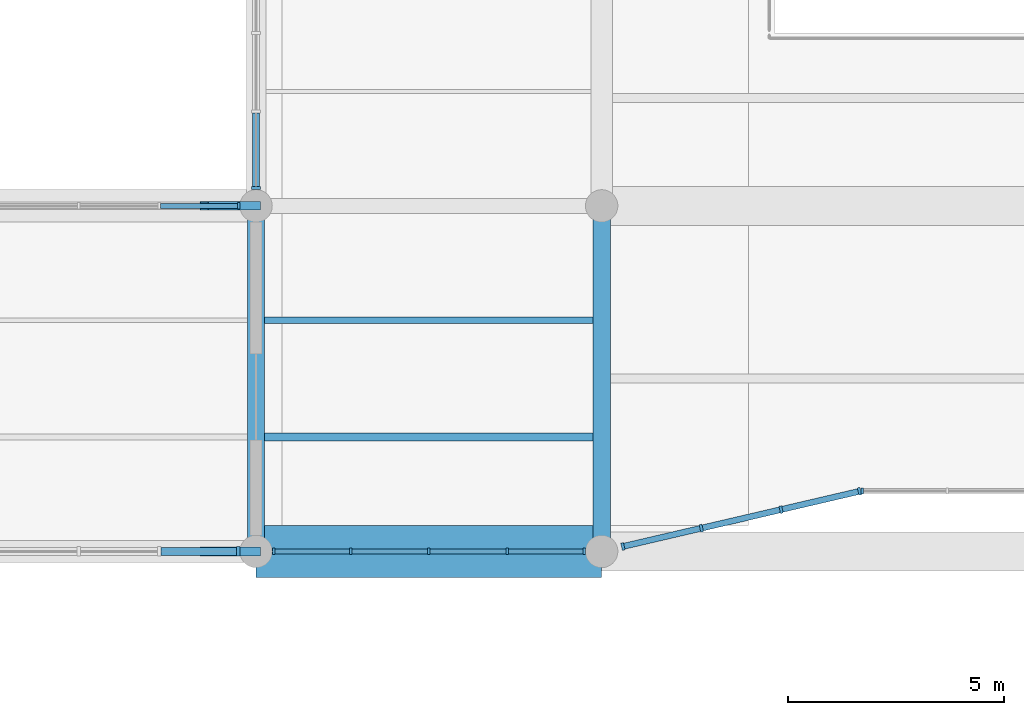
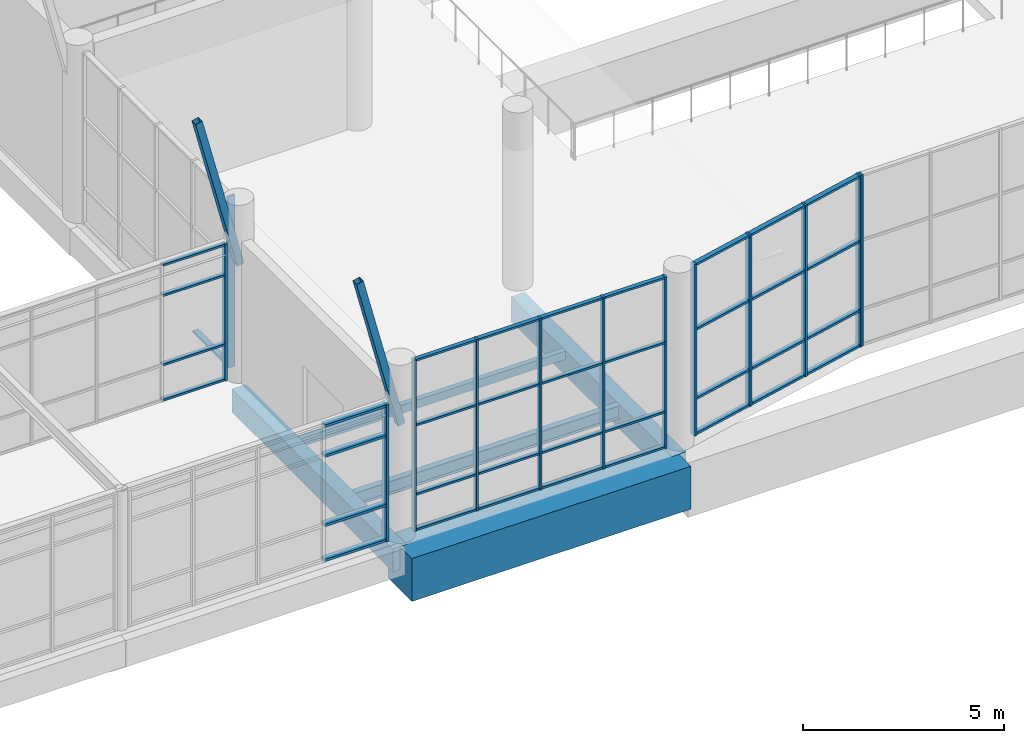
# One storey, part 23 of 122: 52 members, 5 beams, 6 elements without a shape of their own.
"""IFC4 building model written with IfcOpenShell, lengths in metres."""

from ifc_helpers import new_model, si_unit, direction, frame, origin, origin_2d, place, context, subcontext, project, spatial, rectangle, hollow_rectangle, i_section, extrude, material, material_profile, profile_set, type_object, element, aggregate, save


model = new_model("IFC4")

# Units and contexts
model_context = context("Model", 3, precision=1e-05, world=origin(), true_north=direction((0.0, 1.0)))
body_context = subcontext(model_context, "Body", "Model", "MODEL_VIEW")
ifc_project = project(units=[si_unit("LENGTHUNIT", "METRE"), si_unit("AREAUNIT", "SQUARE_METRE"), si_unit("VOLUMEUNIT", "CUBIC_METRE"), si_unit("PLANEANGLEUNIT", "RADIAN"), si_unit("MASSUNIT", "GRAM", prefix="KILO")], contexts=[model_context])

# Site, building, storey
site_placement = place(None, origin())
site = spatial("IfcSite", under=ifc_project, at=site_placement, CompositionType="ELEMENT")
building_placement = place(site_placement, origin())
building = spatial("IfcBuilding", under=site, at=building_placement, Name="Tenunan Teduh Sports Hall", CompositionType="ELEMENT")
storey_placement = place(building_placement, frame((0.0, 0.0, 5.39990234375)))
storey = spatial("IfcBuildingStorey", under=building, at=storey_placement, Name="L01", CompositionType="ELEMENT", Elevation=5.39990234375)

# Beams
ifc_material_1 = material(Name="Concrete C40/50", Category="concrete")
ifc_material_profile_1 = material_profile(ifc_material_1, rectangle(XDim=0.39990234375, YDim=0.699951171875, at=origin_2d()), Name="RCB 400x700")
ifc_profile_set_1 = profile_set([ifc_material_profile_1], Name="Concrete C40/50")
beam_type_1 = type_object("IfcBeamType", Name="BM-RC-400x700", PredefinedType="BEAM", material=ifc_profile_set_1)
beam_1_placement = place(storey_placement, frame((70.0, 38.0, -0.7099609375), z_axis=(0.0, 1.0, 0.0), x_axis=(-1.0, 0.0, 0.0)))
element("IfcBeam", 1, at=beam_1_placement, inside=storey, type_object=beam_type_1, Name="BM-B-08-L01-1231", PredefinedType="BEAM", context=body_context, shape_type="SweptSolid", body=[
    extrude(rectangle(XDim=0.39990234375, YDim=0.699951171875, at=origin_2d()), origin(), (0.0, 0.0, 1.0), 8.0),
])
ifc_material_2 = material(Name="Concrete C40/50", Category="concrete")
ifc_material_profile_2 = material_profile(ifc_material_2, rectangle(XDim=0.39990234375, YDim=0.75, at=origin_2d()), Name="RCB 400x750")
ifc_profile_set_2 = profile_set([ifc_material_profile_2], Name="Concrete C40/50")
beam_type_2 = type_object("IfcBeamType", Name="BM-RC-400x750", PredefinedType="BEAM", material=ifc_profile_set_2)
beam_2_placement = place(storey_placement, frame((78.0, 38.0, -0.73486328125), z_axis=(0.0, 1.0, 0.0), x_axis=(-1.0, 0.0, 0.0)))
element("IfcBeam", 2, at=beam_2_placement, inside=storey, type_object=beam_type_2, Name="BM-B-09-L01-1239", PredefinedType="BEAM", context=body_context, shape_type="SweptSolid", body=[
    extrude(rectangle(XDim=0.39990234375, YDim=0.75, at=origin_2d()), origin(), (0.0, 0.0, 1.0), 8.0),
])

# Curtain wall, members
ifc_material_3 = material(Name="Anodised aluminium", Category="aluminium")
curtain_wall_type_1 = type_object("IfcCurtainWallType", Name="CW-UNIT-1", PredefinedType="NOTDEFINED", material=ifc_material_3)
curtain_wall_1_placement = place(storey_placement, origin())
curtain_wall_1 = element("IfcCurtainWall", 3, at=curtain_wall_1_placement, inside=storey, type_object=curtain_wall_type_1, Name="CW-CWM-150-L01-163", PredefinedType="NOTDEFINED")
ifc_material_4 = material(Name="Anodised aluminium", Category="aluminium")
ifc_material_profile_3 = material_profile(ifc_material_4, rectangle(XDim=0.06005859375, YDim=0.14990234375, at=origin_2d()), Name="CWM 60x150")
ifc_profile_set_3 = profile_set([ifc_material_profile_3], Name="Anodised aluminium")
member_type_1 = type_object("IfcMemberType", Name="CWM-150", PredefinedType="MULLION", material=ifc_profile_set_3)
member_1_placement = place(storey_placement, frame((70.405029296875, 38.0, 0.0), z_axis=(0.0, 0.0, 1.0), x_axis=(1.0, 0.0, 0.0)))
member_1 = element("IfcMember", 4, at=member_1_placement, type_object=member_type_1, Name="CW-01 mullion 1", PredefinedType="MULLION", context=body_context, shape_type="SweptSolid", body=[
    extrude(rectangle(XDim=0.06005859375, YDim=0.14990234375, at=origin_2d()), origin(), (0.0, 0.0, 1.0), 5.2001953125),
])
member_2_placement = place(storey_placement, frame((72.1875, 38.0, 0.0), z_axis=(0.0, 0.0, 1.0), x_axis=(1.0, 0.0, 0.0)))
member_2 = element("IfcMember", 5, at=member_2_placement, type_object=member_type_1, Name="CW-01 mullion 2", PredefinedType="MULLION", context=body_context, shape_type="SweptSolid", body=[
    extrude(rectangle(XDim=0.06005859375, YDim=0.14990234375, at=origin_2d()), origin(), (0.0, 0.0, 1.0), 5.2001953125),
])
member_3_placement = place(storey_placement, frame((74.0, 38.0, 0.0), z_axis=(0.0, 0.0, 1.0), x_axis=(1.0, 0.0, 0.0)))
member_3 = element("IfcMember", 6, at=member_3_placement, type_object=member_type_1, Name="CW-01 mullion 3", PredefinedType="MULLION", context=body_context, shape_type="SweptSolid", body=[
    extrude(rectangle(XDim=0.06005859375, YDim=0.14990234375, at=origin_2d()), origin(), (0.0, 0.0, 1.0), 5.2001953125),
])
member_4_placement = place(storey_placement, frame((75.8125, 38.0, 0.0), z_axis=(0.0, 0.0, 1.0), x_axis=(1.0, 0.0, 0.0)))
member_4 = element("IfcMember", 7, at=member_4_placement, type_object=member_type_1, Name="CW-01 mullion 4", PredefinedType="MULLION", context=body_context, shape_type="SweptSolid", body=[
    extrude(rectangle(XDim=0.06005859375, YDim=0.14990234375, at=origin_2d()), origin(), (0.0, 0.0, 1.0), 5.2001953125),
])
member_5_placement = place(storey_placement, frame((77.594970703125, 38.0, 0.0), z_axis=(0.0, 0.0, 1.0), x_axis=(1.0, 0.0, 0.0)))
member_5 = element("IfcMember", 8, at=member_5_placement, type_object=member_type_1, Name="CW-01 mullion 5", PredefinedType="MULLION", context=body_context, shape_type="SweptSolid", body=[
    extrude(rectangle(XDim=0.06005859375, YDim=0.14990234375, at=origin_2d()), origin(), (0.0, 0.0, 1.0), 5.2001953125),
])

# Curtain wall, member
ifc_material_5 = material(Name="Anodised aluminium", Category="aluminium")
curtain_wall_type_2 = type_object("IfcCurtainWallType", Name="CW-FOYER-1", PredefinedType="NOTDEFINED", material=ifc_material_5)
curtain_wall_2_placement = place(storey_placement, origin())
curtain_wall_2 = element("IfcCurtainWall", 9, at=curtain_wall_2_placement, inside=storey, type_object=curtain_wall_type_2, Name="CW-CWM-150-L01-167", PredefinedType="NOTDEFINED")
member_6_placement = place(storey_placement, frame((84.030029296875, 39.39990234375, 0.0), z_axis=(0.0, 0.0, 1.0), x_axis=(1.0, 0.0, 0.0)))
member_6 = element("IfcMember", 10, at=member_6_placement, type_object=member_type_1, Name="CW-04 mullion 1", PredefinedType="MULLION", context=body_context, shape_type="SweptSolid", body=[
    extrude(rectangle(XDim=0.06005859375, YDim=0.14990234375, at=origin_2d()), origin(), (0.0, 0.0, 1.0), 5.2001953125),
])
aggregate(curtain_wall_2, [member_6])

ifc_material_6 = material(Name="Anodised aluminium", Category="aluminium")
curtain_wall_type_3 = type_object("IfcCurtainWallType", Name="CW-UNIT-2", PredefinedType="NOTDEFINED", material=ifc_material_6)
curtain_wall_3_placement = place(storey_placement, origin())
curtain_wall_3 = element("IfcCurtainWall", 11, at=curtain_wall_3_placement, inside=storey, type_object=curtain_wall_type_3, Name="CW-CWM-150-L01-179", PredefinedType="NOTDEFINED")
member_7_placement = place(storey_placement, frame((69.594970703125, 46.0, 0.0), z_axis=(0.0, 0.0, 1.0), x_axis=(1.0, 0.0, 0.0)))
member_7 = element("IfcMember", 12, at=member_7_placement, type_object=member_type_1, Name="CW-02 mullion 5", PredefinedType="MULLION", context=body_context, shape_type="SweptSolid", body=[
    extrude(rectangle(XDim=0.06005859375, YDim=0.14990234375, at=origin_2d()), origin(), (0.0, 0.0, 1.0), 4.150146484375),
])

# Curtain wall, members
curtain_wall_4_placement = place(storey_placement, origin())
curtain_wall_4 = element("IfcCurtainWall", 13, at=curtain_wall_4_placement, inside=storey, type_object=curtain_wall_type_2, Name="CW-CWM-175-L01-166", PredefinedType="NOTDEFINED")
ifc_material_7 = material(Name="Anodised aluminium", Category="aluminium")
ifc_material_profile_4 = material_profile(ifc_material_7, rectangle(XDim=0.06494140625, YDim=0.175048828125, at=origin_2d()), Name="CWM 65x175")
ifc_profile_set_4 = profile_set([ifc_material_profile_4], Name="Anodised aluminium")
member_type_2 = type_object("IfcMemberType", Name="CWM-175", PredefinedType="MULLION", material=ifc_profile_set_4)
member_8_placement = place(storey_placement, frame((78.4921875, 38.114990234375, 0.0), z_axis=(0.0, 0.0, 1.0), x_axis=(0.973842091381, 0.227225837122, 0.0)))
member_8 = element("IfcMember", 14, at=member_8_placement, type_object=member_type_2, Name="CW-04 mullion 1", PredefinedType="MULLION", context=body_context, shape_type="SweptSolid", body=[
    extrude(rectangle(XDim=0.06494140625, YDim=0.175048828125, at=origin_2d()), origin(), (0.0, 0.0, 1.0), 5.2001953125),
])
member_9_placement = place(storey_placement, frame((80.30712890625, 38.538330078125, 0.0), z_axis=(0.0, 0.0, 1.0), x_axis=(0.973842091381, 0.227225837122, 0.0)))
member_9 = element("IfcMember", 15, at=member_9_placement, type_object=member_type_2, Name="CW-04 mullion 2", PredefinedType="MULLION", context=body_context, shape_type="SweptSolid", body=[
    extrude(rectangle(XDim=0.06494140625, YDim=0.175048828125, at=origin_2d()), origin(), (0.0, 0.0, 1.0), 5.2001953125),
])
member_10_placement = place(storey_placement, frame((82.153564453125, 38.96923828125, 0.0), z_axis=(0.0, 0.0, 1.0), x_axis=(0.973842091381, 0.227225837122, 0.0)))
member_10 = element("IfcMember", 16, at=member_10_placement, type_object=member_type_2, Name="CW-04 mullion 3", PredefinedType="MULLION", context=body_context, shape_type="SweptSolid", body=[
    extrude(rectangle(XDim=0.06494140625, YDim=0.175048828125, at=origin_2d()), origin(), (0.0, 0.0, 1.0), 5.2001953125),
])
member_11_placement = place(storey_placement, frame((83.96826171875, 39.392578125, 0.0), z_axis=(0.0, 0.0, 1.0), x_axis=(0.973842091381, 0.227225837122, 0.0)))
member_11 = element("IfcMember", 17, at=member_11_placement, type_object=member_type_2, Name="CW-04 mullion 4", PredefinedType="MULLION", context=body_context, shape_type="SweptSolid", body=[
    extrude(rectangle(XDim=0.06494140625, YDim=0.175048828125, at=origin_2d()), origin(), (0.0, 0.0, 1.0), 5.2001953125),
])

# Curtain wall, member
curtain_wall_5_placement = place(storey_placement, origin())
curtain_wall_5 = element("IfcCurtainWall", 18, at=curtain_wall_5_placement, inside=storey, type_object=curtain_wall_type_1, Name="CW-CWM-200-L01-172", PredefinedType="NOTDEFINED")
ifc_material_8 = material(Name="Anodised aluminium", Category="aluminium")
ifc_material_profile_5 = material_profile(ifc_material_8, rectangle(XDim=0.070068359375, YDim=0.199951171875, at=origin_2d()), Name="CWM 70x200")
ifc_profile_set_5 = profile_set([ifc_material_profile_5], Name="Anodised aluminium")
member_type_3 = type_object("IfcMemberType", Name="CWM-200", PredefinedType="MULLION", material=ifc_profile_set_5)
member_12_placement = place(storey_placement, frame((70.0, 46.409912109375, 0.0), z_axis=(0.0, 0.0, 1.0), x_axis=(0.0, 1.0, 0.0)))
member_12 = element("IfcMember", 19, at=member_12_placement, type_object=member_type_3, Name="CW-01 mullion 1", PredefinedType="MULLION", context=body_context, shape_type="SweptSolid", body=[
    extrude(rectangle(XDim=0.070068359375, YDim=0.199951171875, at=origin_2d()), origin(), (0.0, 0.0, 1.0), 5.2001953125),
])

curtain_wall_6_placement = place(storey_placement, origin())
curtain_wall_6 = element("IfcCurtainWall", 20, at=curtain_wall_6_placement, inside=storey, type_object=curtain_wall_type_3, Name="CW-CWM-220-L01-177", PredefinedType="NOTDEFINED")
ifc_material_9 = material(Name="Anodised aluminium", Category="aluminium")
ifc_material_profile_6 = material_profile(ifc_material_9, rectangle(XDim=0.074951171875, YDim=0.219970703125, at=origin_2d()), Name="CWM 75x220")
ifc_profile_set_6 = profile_set([ifc_material_profile_6], Name="Anodised aluminium")
member_type_4 = type_object("IfcMemberType", Name="CWM-220", PredefinedType="MULLION", material=ifc_profile_set_6)
member_13_placement = place(storey_placement, frame((69.58740234375, 38.0, 0.0), z_axis=(0.0, 0.0, 1.0), x_axis=(1.0, 0.0, 0.0)))
member_13 = element("IfcMember", 21, at=member_13_placement, type_object=member_type_4, Name="CW-02 mullion 5", PredefinedType="MULLION", context=body_context, shape_type="SweptSolid", body=[
    extrude(rectangle(XDim=0.074951171875, YDim=0.219970703125, at=origin_2d()), origin(), (0.0, 0.0, 1.0), 4.150146484375),
])

# Member
ifc_material_10 = material(Name="Anodised aluminium", Category="aluminium")
ifc_material_profile_7 = material_profile(ifc_material_10, rectangle(XDim=0.06005859375, YDim=0.1201171875, at=origin_2d()), Name="CWT 60x120")
ifc_profile_set_7 = profile_set([ifc_material_profile_7], Name="Anodised aluminium")
member_type_5 = type_object("IfcMemberType", Name="CWT-125", PredefinedType="USERDEFINED", material=ifc_profile_set_7)
member_14_placement = place(storey_placement, frame((70.43505859375, 38.0, 0.030029296875), z_axis=(1.0, 0.0, 0.0), x_axis=(0.0, 0.0, 1.0)))
member_14 = element("IfcMember", 22, at=member_14_placement, type_object=member_type_5, Name="CW-01 transom 1.1", ObjectType="TRANSOM", PredefinedType="USERDEFINED", context=body_context, shape_type="SweptSolid", body=[
    extrude(rectangle(XDim=0.06005859375, YDim=0.1201171875, at=origin_2d()), origin(), (0.0, 0.0, 1.0), 1.722412109375),
])

member_15_placement = place(storey_placement, frame((70.43505859375, 38.0, 1.10009765625), z_axis=(1.0, 0.0, 0.0), x_axis=(0.0, 0.0, 1.0)))
member_15 = element("IfcMember", 23, at=member_15_placement, type_object=member_type_5, Name="CW-01 transom 1.2", ObjectType="TRANSOM", PredefinedType="USERDEFINED", context=body_context, shape_type="SweptSolid", body=[
    extrude(rectangle(XDim=0.06005859375, YDim=0.1201171875, at=origin_2d()), origin(), (0.0, 0.0, 1.0), 1.722412109375),
])

member_16_placement = place(storey_placement, frame((70.43505859375, 38.0, 3.2001953125), z_axis=(1.0, 0.0, 0.0), x_axis=(0.0, 0.0, 1.0)))
member_16 = element("IfcMember", 24, at=member_16_placement, type_object=member_type_5, Name="CW-01 transom 1.3", ObjectType="TRANSOM", PredefinedType="USERDEFINED", context=body_context, shape_type="SweptSolid", body=[
    extrude(rectangle(XDim=0.06005859375, YDim=0.1201171875, at=origin_2d()), origin(), (0.0, 0.0, 1.0), 1.722412109375),
])

member_17_placement = place(storey_placement, frame((70.43505859375, 38.0, 5.170166015625), z_axis=(1.0, 0.0, 0.0), x_axis=(0.0, 0.0, 1.0)))
member_17 = element("IfcMember", 25, at=member_17_placement, type_object=member_type_5, Name="CW-01 transom 1.4", ObjectType="TRANSOM", PredefinedType="USERDEFINED", context=body_context, shape_type="SweptSolid", body=[
    extrude(rectangle(XDim=0.06005859375, YDim=0.1201171875, at=origin_2d()), origin(), (0.0, 0.0, 1.0), 1.722412109375),
])

member_18_placement = place(storey_placement, frame((72.217529296875, 38.0, 0.030029296875), z_axis=(1.0, 0.0, 0.0), x_axis=(0.0, 0.0, 1.0)))
member_18 = element("IfcMember", 26, at=member_18_placement, type_object=member_type_5, Name="CW-01 transom 2.1", ObjectType="TRANSOM", PredefinedType="USERDEFINED", context=body_context, shape_type="SweptSolid", body=[
    extrude(rectangle(XDim=0.06005859375, YDim=0.1201171875, at=origin_2d()), origin(), (0.0, 0.0, 1.0), 1.75244140625),
])

member_19_placement = place(storey_placement, frame((72.217529296875, 38.0, 1.10009765625), z_axis=(1.0, 0.0, 0.0), x_axis=(0.0, 0.0, 1.0)))
member_19 = element("IfcMember", 27, at=member_19_placement, type_object=member_type_5, Name="CW-01 transom 2.2", ObjectType="TRANSOM", PredefinedType="USERDEFINED", context=body_context, shape_type="SweptSolid", body=[
    extrude(rectangle(XDim=0.06005859375, YDim=0.1201171875, at=origin_2d()), origin(), (0.0, 0.0, 1.0), 1.75244140625),
])

member_20_placement = place(storey_placement, frame((72.217529296875, 38.0, 3.2001953125), z_axis=(1.0, 0.0, 0.0), x_axis=(0.0, 0.0, 1.0)))
member_20 = element("IfcMember", 28, at=member_20_placement, type_object=member_type_5, Name="CW-01 transom 2.3", ObjectType="TRANSOM", PredefinedType="USERDEFINED", context=body_context, shape_type="SweptSolid", body=[
    extrude(rectangle(XDim=0.06005859375, YDim=0.1201171875, at=origin_2d()), origin(), (0.0, 0.0, 1.0), 1.75244140625),
])

member_21_placement = place(storey_placement, frame((72.217529296875, 38.0, 5.170166015625), z_axis=(1.0, 0.0, 0.0), x_axis=(0.0, 0.0, 1.0)))
member_21 = element("IfcMember", 29, at=member_21_placement, type_object=member_type_5, Name="CW-01 transom 2.4", ObjectType="TRANSOM", PredefinedType="USERDEFINED", context=body_context, shape_type="SweptSolid", body=[
    extrude(rectangle(XDim=0.06005859375, YDim=0.1201171875, at=origin_2d()), origin(), (0.0, 0.0, 1.0), 1.75244140625),
])

member_22_placement = place(storey_placement, frame((74.030029296875, 38.0, 0.030029296875), z_axis=(1.0, 0.0, 0.0), x_axis=(0.0, 0.0, 1.0)))
member_22 = element("IfcMember", 30, at=member_22_placement, type_object=member_type_5, Name="CW-01 transom 3.1", ObjectType="TRANSOM", PredefinedType="USERDEFINED", context=body_context, shape_type="SweptSolid", body=[
    extrude(rectangle(XDim=0.06005859375, YDim=0.1201171875, at=origin_2d()), origin(), (0.0, 0.0, 1.0), 1.75244140625),
])

member_23_placement = place(storey_placement, frame((74.030029296875, 38.0, 1.10009765625), z_axis=(1.0, 0.0, 0.0), x_axis=(0.0, 0.0, 1.0)))
member_23 = element("IfcMember", 31, at=member_23_placement, type_object=member_type_5, Name="CW-01 transom 3.2", ObjectType="TRANSOM", PredefinedType="USERDEFINED", context=body_context, shape_type="SweptSolid", body=[
    extrude(rectangle(XDim=0.06005859375, YDim=0.1201171875, at=origin_2d()), origin(), (0.0, 0.0, 1.0), 1.75244140625),
])

member_24_placement = place(storey_placement, frame((74.030029296875, 38.0, 3.2001953125), z_axis=(1.0, 0.0, 0.0), x_axis=(0.0, 0.0, 1.0)))
member_24 = element("IfcMember", 32, at=member_24_placement, type_object=member_type_5, Name="CW-01 transom 3.3", ObjectType="TRANSOM", PredefinedType="USERDEFINED", context=body_context, shape_type="SweptSolid", body=[
    extrude(rectangle(XDim=0.06005859375, YDim=0.1201171875, at=origin_2d()), origin(), (0.0, 0.0, 1.0), 1.75244140625),
])

member_25_placement = place(storey_placement, frame((74.030029296875, 38.0, 5.170166015625), z_axis=(1.0, 0.0, 0.0), x_axis=(0.0, 0.0, 1.0)))
member_25 = element("IfcMember", 33, at=member_25_placement, type_object=member_type_5, Name="CW-01 transom 3.4", ObjectType="TRANSOM", PredefinedType="USERDEFINED", context=body_context, shape_type="SweptSolid", body=[
    extrude(rectangle(XDim=0.06005859375, YDim=0.1201171875, at=origin_2d()), origin(), (0.0, 0.0, 1.0), 1.75244140625),
])

member_26_placement = place(storey_placement, frame((75.842529296875, 38.0, 0.030029296875), z_axis=(1.0, 0.0, 0.0), x_axis=(0.0, 0.0, 1.0)))
member_26 = element("IfcMember", 34, at=member_26_placement, type_object=member_type_5, Name="CW-01 transom 4.1", ObjectType="TRANSOM", PredefinedType="USERDEFINED", context=body_context, shape_type="SweptSolid", body=[
    extrude(rectangle(XDim=0.06005859375, YDim=0.1201171875, at=origin_2d()), origin(), (0.0, 0.0, 1.0), 1.722412109375),
])

member_27_placement = place(storey_placement, frame((75.842529296875, 38.0, 1.10009765625), z_axis=(1.0, 0.0, 0.0), x_axis=(0.0, 0.0, 1.0)))
member_27 = element("IfcMember", 35, at=member_27_placement, type_object=member_type_5, Name="CW-01 transom 4.2", ObjectType="TRANSOM", PredefinedType="USERDEFINED", context=body_context, shape_type="SweptSolid", body=[
    extrude(rectangle(XDim=0.06005859375, YDim=0.1201171875, at=origin_2d()), origin(), (0.0, 0.0, 1.0), 1.722412109375),
])

member_28_placement = place(storey_placement, frame((75.842529296875, 38.0, 3.2001953125), z_axis=(1.0, 0.0, 0.0), x_axis=(0.0, 0.0, 1.0)))
member_28 = element("IfcMember", 36, at=member_28_placement, type_object=member_type_5, Name="CW-01 transom 4.3", ObjectType="TRANSOM", PredefinedType="USERDEFINED", context=body_context, shape_type="SweptSolid", body=[
    extrude(rectangle(XDim=0.06005859375, YDim=0.1201171875, at=origin_2d()), origin(), (0.0, 0.0, 1.0), 1.722412109375),
])

member_29_placement = place(storey_placement, frame((75.842529296875, 38.0, 5.170166015625), z_axis=(1.0, 0.0, 0.0), x_axis=(0.0, 0.0, 1.0)))
member_29 = element("IfcMember", 37, at=member_29_placement, type_object=member_type_5, Name="CW-01 transom 4.4", ObjectType="TRANSOM", PredefinedType="USERDEFINED", context=body_context, shape_type="SweptSolid", body=[
    extrude(rectangle(XDim=0.06005859375, YDim=0.1201171875, at=origin_2d()), origin(), (0.0, 0.0, 1.0), 1.722412109375),
])

aggregate(curtain_wall_1, [member_1, member_2, member_3, member_4, member_5, member_14, member_15, member_16, member_17, member_18, member_19, member_20, member_21, member_22, member_23, member_24, member_25, member_26, member_27, member_28, member_29])

member_30_placement = place(storey_placement, frame((67.789306640625, 46.0, 0.030029296875), z_axis=(1.0, 0.0, 0.0), x_axis=(0.0, 0.0, 1.0)))
member_30 = element("IfcMember", 38, at=member_30_placement, type_object=member_type_5, Name="CW-02 transom 4.1", ObjectType="TRANSOM", PredefinedType="USERDEFINED", context=body_context, shape_type="SweptSolid", body=[
    extrude(rectangle(XDim=0.06005859375, YDim=0.1201171875, at=origin_2d()), origin(), (0.0, 0.0, 1.0), 1.775634765625),
])

member_31_placement = place(storey_placement, frame((67.789306640625, 46.0, 1.10009765625), z_axis=(1.0, 0.0, 0.0), x_axis=(0.0, 0.0, 1.0)))
member_31 = element("IfcMember", 39, at=member_31_placement, type_object=member_type_5, Name="CW-02 transom 4.2", ObjectType="TRANSOM", PredefinedType="USERDEFINED", context=body_context, shape_type="SweptSolid", body=[
    extrude(rectangle(XDim=0.06005859375, YDim=0.1201171875, at=origin_2d()), origin(), (0.0, 0.0, 1.0), 1.775634765625),
])

member_32_placement = place(storey_placement, frame((67.789306640625, 46.0, 3.2001953125), z_axis=(1.0, 0.0, 0.0), x_axis=(0.0, 0.0, 1.0)))
member_32 = element("IfcMember", 40, at=member_32_placement, type_object=member_type_5, Name="CW-02 transom 4.3", ObjectType="TRANSOM", PredefinedType="USERDEFINED", context=body_context, shape_type="SweptSolid", body=[
    extrude(rectangle(XDim=0.06005859375, YDim=0.1201171875, at=origin_2d()), origin(), (0.0, 0.0, 1.0), 1.775634765625),
])

member_33_placement = place(storey_placement, frame((67.789306640625, 46.0, 4.1201171875), z_axis=(1.0, 0.0, 0.0), x_axis=(0.0, 0.0, 1.0)))
member_33 = element("IfcMember", 41, at=member_33_placement, type_object=member_type_5, Name="CW-02 transom 4.4", ObjectType="TRANSOM", PredefinedType="USERDEFINED", context=body_context, shape_type="SweptSolid", body=[
    extrude(rectangle(XDim=0.06005859375, YDim=0.1201171875, at=origin_2d()), origin(), (0.0, 0.0, 1.0), 1.775634765625),
])

aggregate(curtain_wall_3, [member_7, member_30, member_31, member_32, member_33])

ifc_material_11 = material(Name="Anodised aluminium", Category="aluminium")
ifc_material_profile_8 = material_profile(ifc_material_11, rectangle(XDim=0.06494140625, YDim=0.139892578125, at=origin_2d()), Name="CWT 65x140")
ifc_profile_set_8 = profile_set([ifc_material_profile_8], Name="Anodised aluminium")
member_type_6 = type_object("IfcMemberType", Name="CWT-150", PredefinedType="USERDEFINED", material=ifc_profile_set_8)
member_34_placement = place(storey_placement, frame((78.52392578125, 38.122314453125, 0.03271484375), z_axis=(0.973839207134, 0.22723819804, 0.0), x_axis=(0.0, 0.0, 1.0)))
member_34 = element("IfcMember", 42, at=member_34_placement, type_object=member_type_6, Name="CW-04 transom 1.1", ObjectType="TRANSOM", PredefinedType="USERDEFINED", context=body_context, shape_type="SweptSolid", body=[
    extrude(rectangle(XDim=0.06494140625, YDim=0.139892578125, at=origin_2d()), origin(), (0.0, 0.0, 1.0), 1.798583984375),
])

member_35_placement = place(storey_placement, frame((78.52392578125, 38.122314453125, 1.10009765625), z_axis=(0.973839207134, 0.22723819804, 0.0), x_axis=(0.0, 0.0, 1.0)))
member_35 = element("IfcMember", 43, at=member_35_placement, type_object=member_type_6, Name="CW-04 transom 1.2", ObjectType="TRANSOM", PredefinedType="USERDEFINED", context=body_context, shape_type="SweptSolid", body=[
    extrude(rectangle(XDim=0.06494140625, YDim=0.139892578125, at=origin_2d()), origin(), (0.0, 0.0, 1.0), 1.798583984375),
])

member_36_placement = place(storey_placement, frame((78.52392578125, 38.122314453125, 3.2001953125), z_axis=(0.973839207134, 0.22723819804, 0.0), x_axis=(0.0, 0.0, 1.0)))
member_36 = element("IfcMember", 44, at=member_36_placement, type_object=member_type_6, Name="CW-04 transom 1.3", ObjectType="TRANSOM", PredefinedType="USERDEFINED", context=body_context, shape_type="SweptSolid", body=[
    extrude(rectangle(XDim=0.06494140625, YDim=0.139892578125, at=origin_2d()), origin(), (0.0, 0.0, 1.0), 1.798583984375),
])

member_37_placement = place(storey_placement, frame((78.52392578125, 38.122314453125, 5.16748046875), z_axis=(0.973839207134, 0.22723819804, 0.0), x_axis=(0.0, 0.0, 1.0)))
member_37 = element("IfcMember", 45, at=member_37_placement, type_object=member_type_6, Name="CW-04 transom 1.4", ObjectType="TRANSOM", PredefinedType="USERDEFINED", context=body_context, shape_type="SweptSolid", body=[
    extrude(rectangle(XDim=0.06494140625, YDim=0.139892578125, at=origin_2d()), origin(), (0.0, 0.0, 1.0), 1.798583984375),
])

member_38_placement = place(storey_placement, frame((80.338623046875, 38.545654296875, 0.03271484375), z_axis=(0.973849076947, 0.227195896374, 0.0), x_axis=(0.0, 0.0, 1.0)))
member_38 = element("IfcMember", 46, at=member_38_placement, type_object=member_type_6, Name="CW-04 transom 2.1", ObjectType="TRANSOM", PredefinedType="USERDEFINED", context=body_context, shape_type="SweptSolid", body=[
    extrude(rectangle(XDim=0.06494140625, YDim=0.139892578125, at=origin_2d()), origin(), (0.0, 0.0, 1.0), 1.8310546875),
])

member_39_placement = place(storey_placement, frame((80.338623046875, 38.545654296875, 1.10009765625), z_axis=(0.973849076947, 0.227195896374, 0.0), x_axis=(0.0, 0.0, 1.0)))
member_39 = element("IfcMember", 47, at=member_39_placement, type_object=member_type_6, Name="CW-04 transom 2.2", ObjectType="TRANSOM", PredefinedType="USERDEFINED", context=body_context, shape_type="SweptSolid", body=[
    extrude(rectangle(XDim=0.06494140625, YDim=0.139892578125, at=origin_2d()), origin(), (0.0, 0.0, 1.0), 1.8310546875),
])

member_40_placement = place(storey_placement, frame((80.338623046875, 38.545654296875, 3.2001953125), z_axis=(0.973849076947, 0.227195896374, 0.0), x_axis=(0.0, 0.0, 1.0)))
member_40 = element("IfcMember", 48, at=member_40_placement, type_object=member_type_6, Name="CW-04 transom 2.3", ObjectType="TRANSOM", PredefinedType="USERDEFINED", context=body_context, shape_type="SweptSolid", body=[
    extrude(rectangle(XDim=0.06494140625, YDim=0.139892578125, at=origin_2d()), origin(), (0.0, 0.0, 1.0), 1.8310546875),
])

member_41_placement = place(storey_placement, frame((80.338623046875, 38.545654296875, 5.16748046875), z_axis=(0.973849076947, 0.227195896374, 0.0), x_axis=(0.0, 0.0, 1.0)))
member_41 = element("IfcMember", 49, at=member_41_placement, type_object=member_type_6, Name="CW-04 transom 2.4", ObjectType="TRANSOM", PredefinedType="USERDEFINED", context=body_context, shape_type="SweptSolid", body=[
    extrude(rectangle(XDim=0.06494140625, YDim=0.139892578125, at=origin_2d()), origin(), (0.0, 0.0, 1.0), 1.8310546875),
])

member_42_placement = place(storey_placement, frame((82.185302734375, 38.9765625, 0.03271484375), z_axis=(0.973839207134, 0.22723819804, 0.0), x_axis=(0.0, 0.0, 1.0)))
member_42 = element("IfcMember", 50, at=member_42_placement, type_object=member_type_6, Name="CW-04 transom 3.1", ObjectType="TRANSOM", PredefinedType="USERDEFINED", context=body_context, shape_type="SweptSolid", body=[
    extrude(rectangle(XDim=0.06494140625, YDim=0.139892578125, at=origin_2d()), origin(), (0.0, 0.0, 1.0), 1.798583984375),
])

member_43_placement = place(storey_placement, frame((82.185302734375, 38.9765625, 1.10009765625), z_axis=(0.973839207134, 0.22723819804, 0.0), x_axis=(0.0, 0.0, 1.0)))
member_43 = element("IfcMember", 51, at=member_43_placement, type_object=member_type_6, Name="CW-04 transom 3.2", ObjectType="TRANSOM", PredefinedType="USERDEFINED", context=body_context, shape_type="SweptSolid", body=[
    extrude(rectangle(XDim=0.06494140625, YDim=0.139892578125, at=origin_2d()), origin(), (0.0, 0.0, 1.0), 1.798583984375),
])

member_44_placement = place(storey_placement, frame((82.185302734375, 38.9765625, 3.2001953125), z_axis=(0.973839207134, 0.22723819804, 0.0), x_axis=(0.0, 0.0, 1.0)))
member_44 = element("IfcMember", 52, at=member_44_placement, type_object=member_type_6, Name="CW-04 transom 3.3", ObjectType="TRANSOM", PredefinedType="USERDEFINED", context=body_context, shape_type="SweptSolid", body=[
    extrude(rectangle(XDim=0.06494140625, YDim=0.139892578125, at=origin_2d()), origin(), (0.0, 0.0, 1.0), 1.798583984375),
])

member_45_placement = place(storey_placement, frame((82.185302734375, 38.9765625, 5.16748046875), z_axis=(0.973839207134, 0.22723819804, 0.0), x_axis=(0.0, 0.0, 1.0)))
member_45 = element("IfcMember", 53, at=member_45_placement, type_object=member_type_6, Name="CW-04 transom 3.4", ObjectType="TRANSOM", PredefinedType="USERDEFINED", context=body_context, shape_type="SweptSolid", body=[
    extrude(rectangle(XDim=0.06494140625, YDim=0.139892578125, at=origin_2d()), origin(), (0.0, 0.0, 1.0), 1.798583984375),
])

aggregate(curtain_wall_4, [member_8, member_9, member_10, member_11, member_34, member_35, member_36, member_37, member_38, member_39, member_40, member_41, member_42, member_43, member_44, member_45])

ifc_material_12 = material(Name="Anodised aluminium", Category="aluminium")
ifc_material_profile_9 = material_profile(ifc_material_12, rectangle(XDim=0.074951171875, YDim=0.179931640625, at=origin_2d()), Name="CWT 75x180")
ifc_profile_set_9 = profile_set([ifc_material_profile_9], Name="Anodised aluminium")
member_type_7 = type_object("IfcMemberType", Name="CWT-180", PredefinedType="USERDEFINED", material=ifc_profile_set_9)
member_46_placement = place(storey_placement, frame((67.796630859375, 38.0, 0.03759765625), z_axis=(1.0, 0.0, 0.0), x_axis=(0.0, 0.0, 1.0)))
member_46 = element("IfcMember", 54, at=member_46_placement, type_object=member_type_7, Name="CW-02 transom 4.1", ObjectType="TRANSOM", PredefinedType="USERDEFINED", context=body_context, shape_type="SweptSolid", body=[
    extrude(rectangle(XDim=0.074951171875, YDim=0.179931640625, at=origin_2d()), origin(), (0.0, 0.0, 1.0), 1.75341796875),
])

member_47_placement = place(storey_placement, frame((67.796630859375, 38.0, 1.10009765625), z_axis=(1.0, 0.0, 0.0), x_axis=(0.0, 0.0, 1.0)))
member_47 = element("IfcMember", 55, at=member_47_placement, type_object=member_type_7, Name="CW-02 transom 4.2", ObjectType="TRANSOM", PredefinedType="USERDEFINED", context=body_context, shape_type="SweptSolid", body=[
    extrude(rectangle(XDim=0.074951171875, YDim=0.179931640625, at=origin_2d()), origin(), (0.0, 0.0, 1.0), 1.75341796875),
])

member_48_placement = place(storey_placement, frame((67.796630859375, 38.0, 3.2001953125), z_axis=(1.0, 0.0, 0.0), x_axis=(0.0, 0.0, 1.0)))
member_48 = element("IfcMember", 56, at=member_48_placement, type_object=member_type_7, Name="CW-02 transom 4.3", ObjectType="TRANSOM", PredefinedType="USERDEFINED", context=body_context, shape_type="SweptSolid", body=[
    extrude(rectangle(XDim=0.074951171875, YDim=0.179931640625, at=origin_2d()), origin(), (0.0, 0.0, 1.0), 1.75341796875),
])

member_49_placement = place(storey_placement, frame((67.796630859375, 38.0, 4.112548828125), z_axis=(1.0, 0.0, 0.0), x_axis=(0.0, 0.0, 1.0)))
member_49 = element("IfcMember", 57, at=member_49_placement, type_object=member_type_7, Name="CW-02 transom 4.4", ObjectType="TRANSOM", PredefinedType="USERDEFINED", context=body_context, shape_type="SweptSolid", body=[
    extrude(rectangle(XDim=0.074951171875, YDim=0.179931640625, at=origin_2d()), origin(), (0.0, 0.0, 1.0), 1.75341796875),
])

aggregate(curtain_wall_6, [member_13, member_46, member_47, member_48, member_49])

ifc_material_13 = material(Name="Anodised aluminium", Category="aluminium")
ifc_material_profile_10 = material_profile(ifc_material_13, rectangle(XDim=0.070068359375, YDim=0.159912109375, at=origin_2d()), Name="CWT 70x160")
ifc_profile_set_10 = profile_set([ifc_material_profile_10], Name="Anodised aluminium")
member_type_8 = type_object("IfcMemberType", Name="CWT-200", PredefinedType="USERDEFINED", material=ifc_profile_set_10)
member_50_placement = place(storey_placement, frame((70.0, 46.445068359375, 0.03515625), z_axis=(0.0, 1.0, 0.0), x_axis=(0.0, 0.0, 1.0)))
member_50 = element("IfcMember", 58, at=member_50_placement, type_object=member_type_8, Name="CW-01 transom 1.1", ObjectType="TRANSOM", PredefinedType="USERDEFINED", context=body_context, shape_type="SweptSolid", body=[
    extrude(rectangle(XDim=0.070068359375, YDim=0.159912109375, at=origin_2d()), origin(), (0.0, 0.0, 1.0), 1.70751953125),
])

aggregate(curtain_wall_5, [member_12, member_50])

# Members
ifc_material_14 = material(Name="Steel S355", Category="steel")
ifc_material_profile_11 = material_profile(ifc_material_14, hollow_rectangle(XDim=0.199951171875, YDim=0.199951171875, WallThickness=0.010009765625, at=origin_2d()), Name="SHS 200x200x10.0")
ifc_profile_set_11 = profile_set([ifc_material_profile_11], Name="Steel S355")
member_type_9 = type_object("IfcMemberType", Name="MEM-ST-SHS200", PredefinedType="STRUT", material=ifc_profile_set_11)
for number, where, z_axis, x_axis, name in (
    (59, (70.0, 38.0, 3.400146484375), (-0.246390798262, 0.0, 0.969170560083), (0.0, -1.0, 0.0), "MEM-VS-02-L01-0859"),
    (60, (70.0, 46.0, 3.400146484375), (-0.246390798262, 0.0, 0.969170560083), (0.0, -1.0, 0.0), "MEM-VS-02-L01-0870"),
):
    element("IfcMember", number, at=place(storey_placement, frame(where, z_axis=z_axis, x_axis=x_axis)), inside=storey, type_object=member_type_9, Name=name, PredefinedType="STRUT", context=body_context, shape_type="SweptSolid", body=[
        extrude(hollow_rectangle(XDim=0.199951171875, YDim=0.199951171875, WallThickness=0.010009765625, at=origin_2d()), origin(), (0.0, 0.0, 1.0), 4.8701171875),
    ])

# Beams
ifc_material_15 = material(Name="Post-tensioned concrete C50/60", Category="concrete")
ifc_material_profile_12 = material_profile(ifc_material_15, rectangle(XDim=1.199951171875, YDim=1.300048828125, at=origin_2d()), Name="PTG 1200x1300")
ifc_profile_set_12 = profile_set([ifc_material_profile_12], Name="Post-tensioned concrete C50/60")
beam_type_3 = type_object("IfcBeamType", Name="PTG-1200x1300", PredefinedType="USERDEFINED", material=ifc_profile_set_12)
beam_3_placement = place(storey_placement, frame((70.0, 38.0, -1.010009765625), z_axis=(1.0, 0.0, 0.0), x_axis=(0.0, 1.0, 0.0)))
element("IfcBeam", 61, at=beam_3_placement, inside=storey, type_object=beam_type_3, Name="Post-Tensioned Transfer Girder BM-PTG-01-L01-0041", ObjectType="TRANSFER GIRDER", PredefinedType="USERDEFINED", context=body_context, shape_type="SweptSolid", body=[
    extrude(rectangle(XDim=1.199951171875, YDim=1.300048828125, at=origin_2d()), origin(), (0.0, 0.0, 1.0), 8.0),
])
ifc_material_16 = material(Name="Steel S355", Category="steel")
ifc_material_profile_13 = material_profile(ifc_material_16, hollow_rectangle(XDim=0.14990234375, YDim=0.25, WallThickness=0.010009765625, at=origin_2d()), Name="RHS 250x150x10.0")
ifc_profile_set_13 = profile_set([ifc_material_profile_13], Name="Steel S355")
beam_type_4 = type_object("IfcBeamType", Name="RBM-RHS250", PredefinedType="BEAM", material=ifc_profile_set_13)
beam_4_placement = place(storey_placement, frame((70.199951171875, 43.35009765625, -0.48486328125), z_axis=(1.0, 0.0, 0.0), x_axis=(0.0, 1.0, 0.0)))
element("IfcBeam", 62, at=beam_4_placement, inside=storey, type_object=beam_type_4, Name="Perimeter Ring Beam BM-RB-04-L01-1373", PredefinedType="BEAM", context=body_context, shape_type="SweptSolid", body=[
    extrude(hollow_rectangle(XDim=0.14990234375, YDim=0.25, WallThickness=0.010009765625, at=origin_2d()), origin(), (0.0, 0.0, 1.0), 7.60009765625),
])
ifc_material_17 = material(Name="Steel S355", Category="steel")
ifc_material_profile_14 = material_profile(ifc_material_17, i_section(OverallWidth=0.177978515625, OverallDepth=0.406494140625, WebThickness=0.0078125, FlangeThickness=0.0126953125, FilletRadius=0.01025390625, at=origin_2d()), Name="UKB 406x178x60")
ifc_profile_set_14 = profile_set([ifc_material_profile_14], Name="Steel S355")
beam_type_5 = type_object("IfcBeamType", Name="SBM-UKB406", PredefinedType="BEAM", material=ifc_profile_set_14)
beam_5_placement = place(storey_placement, frame((70.199951171875, 40.64990234375, -0.56298828125), z_axis=(1.0, 0.0, 0.0), x_axis=(0.0, 1.0, 0.0)))
element("IfcBeam", 63, at=beam_5_placement, inside=storey, type_object=beam_type_5, Name="BM-SB-03-L01-1372", PredefinedType="BEAM", context=body_context, shape_type="SweptSolid", body=[
    extrude(i_section(OverallWidth=0.177978515625, OverallDepth=0.406494140625, WebThickness=0.0078125, FlangeThickness=0.0126953125, FilletRadius=0.01025390625, at=origin_2d()), origin(), (0.0, 0.0, 1.0), 7.60009765625),
])

save(model, "model.ifc")
